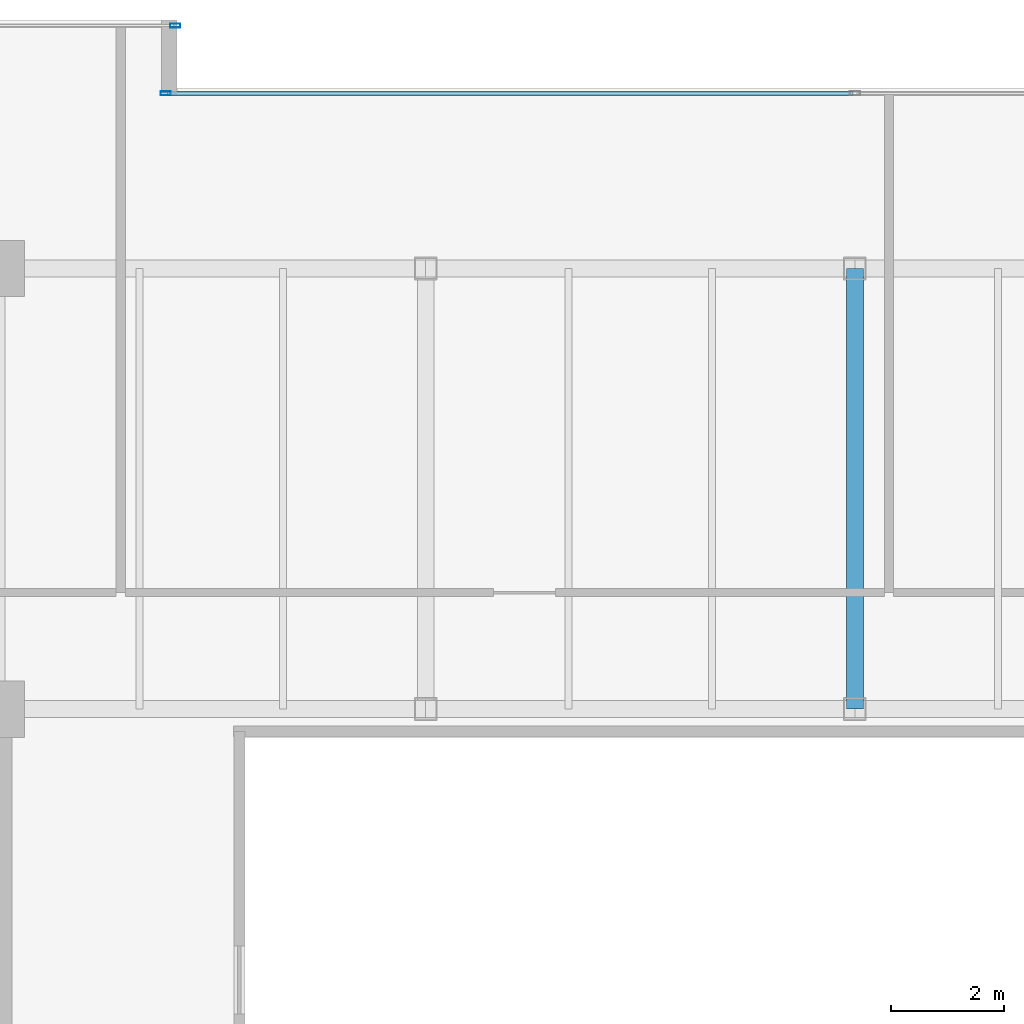
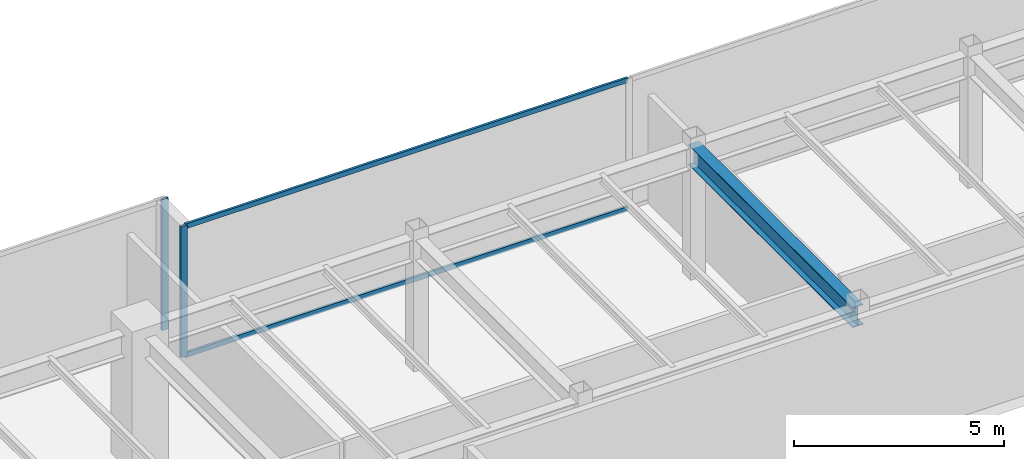
# One storey, part 17 of 33: 4 members, 1 beam, 2 elements without a shape of their own.
"""IFC4 building model written with IfcOpenShell, lengths in metres."""

from ifc_helpers import new_model, si_unit, direction, frame, origin, origin_2d, place, context, subcontext, project, spatial, hollow_rectangle, i_section, extrude, source, transform, mapped, material, layer, layer_set, material_profile, profile_set, type_object, type_shapes, element, aggregate, save


model = new_model("IFC4")

# Units and contexts
model_context = context("Model", 3, precision=1e-05, world=origin(), true_north=direction((0.0, 1.0)))
body_context = subcontext(model_context, "Body", "Model", "MODEL_VIEW")
ifc_project = project(units=[si_unit("LENGTHUNIT", "METRE"), si_unit("AREAUNIT", "SQUARE_METRE"), si_unit("VOLUMEUNIT", "CUBIC_METRE"), si_unit("PLANEANGLEUNIT", "RADIAN"), si_unit("MASSUNIT", "GRAM", prefix="KILO")], contexts=[model_context])

# Site, building, storey
site_placement = place(None, origin())
site = spatial("IfcSite", under=ifc_project, at=site_placement, CompositionType="ELEMENT")
building_placement = place(site_placement, origin())
building = spatial("IfcBuilding", under=site, at=building_placement, Name="Haelvirn Gate Laboratories", CompositionType="ELEMENT")
storey_placement = place(building_placement, frame((0.0, 0.0, 271.10009765625)))
storey = spatial("IfcBuildingStorey", under=building, at=storey_placement, Name="L65", CompositionType="ELEMENT", Elevation=271.10009765625)

# Beam
ifc_material_1 = material(Name="Steel SM355", Category="steel")
ifc_material_profile_1 = material_profile(ifc_material_1, i_section(OverallWidth=0.300048828125, OverallDepth=0.587890625, WebThickness=0.011962890625, FlangeThickness=0.02001953125, at=origin_2d()), Name="H-588x300x12x20")
ifc_profile_set_1 = profile_set([ifc_material_profile_1], Name="Steel SM355")
beam_type = type_object("IfcBeamType", Name="BM-G-588", PredefinedType="BEAM", material=ifc_profile_set_1)
shared_shape_1 = source(origin(), body_context, "Body", "SweptSolid", [
    extrude(i_section(OverallWidth=0.300048828125, OverallDepth=0.587890625, WebThickness=0.011962890625, FlangeThickness=0.02001953125, at=origin_2d()), origin(), (0.0, 0.0, 1.0), 7.800048828125),
])
type_shapes(beam_type, [shared_shape_1])
beam_placement = place(storey_placement, frame((37.39990234375, 33.800048828125, 3.505859375), z_axis=(0.0, 1.0, 0.0), x_axis=(-1.0, 0.0, 0.0)))
element("IfcBeam", 1, at=beam_placement, inside=storey, type_object=beam_type, Name="L65 Frame Girder X37.4 (33.8-41.6)", PredefinedType="BEAM", context=body_context, shape_type="MappedRepresentation", body=[
    mapped(shared_shape_1, transform((0.0, 0.0, 0.0), scale=1.0)),
])

# Curtain wall, members
ifc_material_2 = material(Name="Anodised bronze unitised aluminium & triple low-E glass", Category="aluminium")
ifc_layer = layer(ifc_material_2, 0.176025390625, Name="CW-SYS-4")
ifc_layer_set = layer_set([ifc_layer], Name="Anodised bronze unitised aluminium & triple low-E glass")
curtain_wall_type = type_object("IfcCurtainWallType", Name="CW-SYS-4", PredefinedType="NOTDEFINED", material=ifc_layer_set)
curtain_wall_1_placement = place(storey_placement, origin())
curtain_wall_1 = element("IfcCurtainWall", 2, at=curtain_wall_1_placement, inside=storey, type_object=curtain_wall_type, Name="L65 Unitised Curtain Wall CW-L65-P0-E12-1", PredefinedType="NOTDEFINED")
ifc_material_3 = material(Name="Extruded aluminium 6063-T6 (anodised bronze)", Category="aluminium")
ifc_material_profile_2 = material_profile(ifc_material_3, hollow_rectangle(XDim=0.06494140625, YDim=0.139892578125, WallThickness=0.00390625, at=origin_2d()), Name="CWT-140x65x4")
ifc_profile_set_2 = profile_set([ifc_material_profile_2], Name="Extruded aluminium 6063-T6 (anodised bronze)")
member_type_1 = type_object("IfcMemberType", Name="CWT-T140", PredefinedType="USERDEFINED", material=ifc_profile_set_2)
shared_shape_2 = source(origin(), body_context, "Body", "SweptSolid", [
    extrude(hollow_rectangle(XDim=0.06494140625, YDim=0.139892578125, WallThickness=0.00390625, at=origin_2d()), origin(), (0.0, 0.0, 1.0), 12.135009765625),
])
type_shapes(member_type_1, [shared_shape_2])
member_1_placement = place(storey_placement, frame((25.22998046875, 44.699951171875, 0.032470703125), z_axis=(1.0, 0.0, 0.0), x_axis=(0.0, 1.0, 0.0)))
member_1 = element("IfcMember", 3, at=member_1_placement, type_object=member_type_1, Name="CW4 transom 1.1", ObjectType="TRANSOM", PredefinedType="USERDEFINED", context=body_context, shape_type="MappedRepresentation", body=[
    mapped(shared_shape_2, transform((0.0, 0.0, 0.0), scale=1.0)),
])
member_2_placement = place(storey_placement, frame((25.22998046875, 44.699951171875, 3.767333984375), z_axis=(1.0, 0.0, 0.0), x_axis=(0.0, 1.0, 0.0)))
member_2 = element("IfcMember", 4, at=member_2_placement, type_object=member_type_1, Name="CW4 transom 1.2", ObjectType="TRANSOM", PredefinedType="USERDEFINED", context=body_context, shape_type="MappedRepresentation", body=[
    mapped(shared_shape_2, transform((0.0, 0.0, 0.0), scale=1.0)),
])
ifc_material_profile_3 = material_profile(ifc_material_3, hollow_rectangle(XDim=0.070068359375, YDim=0.179931640625, WallThickness=0.0048828125, at=origin_2d()), Name="CWM-180x70x5")
ifc_profile_set_3 = profile_set([ifc_material_profile_3], Name="Extruded aluminium 6063-T6 (anodised bronze)")
member_type_2 = type_object("IfcMemberType", Name="CWM-T180", PredefinedType="MULLION", material=ifc_profile_set_3)
shared_shape_3 = source(origin(), body_context, "Body", "SweptSolid", [
    extrude(hollow_rectangle(XDim=0.070068359375, YDim=0.179931640625, WallThickness=0.0048828125, at=origin_2d()), origin(), (0.0, 0.0, 1.0), 3.7998046875),
])
type_shapes(member_type_2, [shared_shape_3])
member_3_placement = place(storey_placement, frame((25.195068359375, 44.699951171875, 0.0), z_axis=(0.0, 0.0, 1.0), x_axis=(0.0, 1.0, 0.0)))
member_3 = element("IfcMember", 5, at=member_3_placement, type_object=member_type_2, Name="CW4 mullion 1", PredefinedType="MULLION", context=body_context, shape_type="MappedRepresentation", body=[
    mapped(shared_shape_3, transform((0.0, 0.0, 0.0), scale=1.0)),
])
aggregate(curtain_wall_1, [member_3, member_1, member_2])

# Curtain wall, member
curtain_wall_2_placement = place(storey_placement, origin())
curtain_wall_2 = element("IfcCurtainWall", 6, at=curtain_wall_2_placement, inside=storey, type_object=curtain_wall_type, Name="L65 Unitised Curtain Wall CW-L65-P0-E14-1", PredefinedType="NOTDEFINED")
member_4_placement = place(storey_placement, frame((25.364990234375, 45.89990234375, 0.0), z_axis=(0.0, 0.0, 1.0), x_axis=(0.0, 1.0, 0.0)))
member_4 = element("IfcMember", 7, at=member_4_placement, type_object=member_type_2, Name="CW4 mullion 3", PredefinedType="MULLION", context=body_context, shape_type="MappedRepresentation", body=[
    mapped(shared_shape_3, transform((0.0, 0.0, 0.0), scale=1.0)),
])
aggregate(curtain_wall_2, [member_4])

save(model, "model.ifc")
